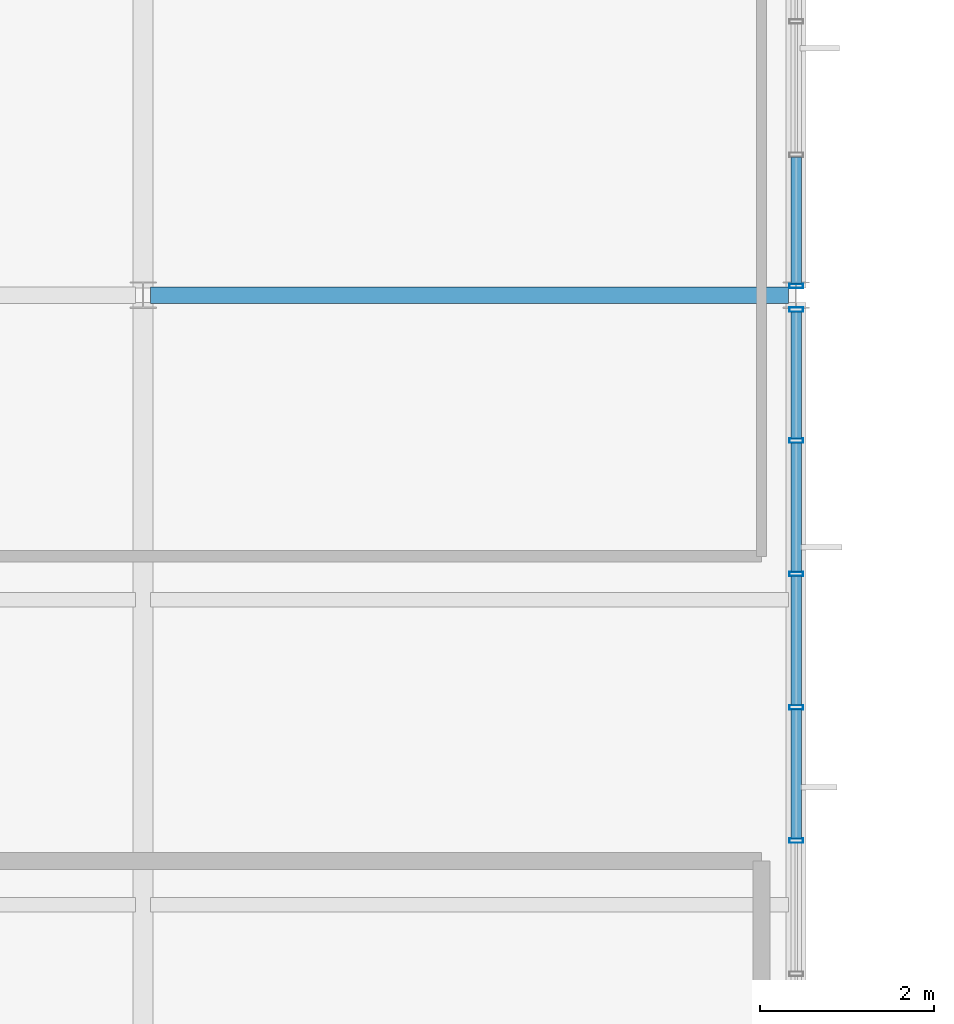
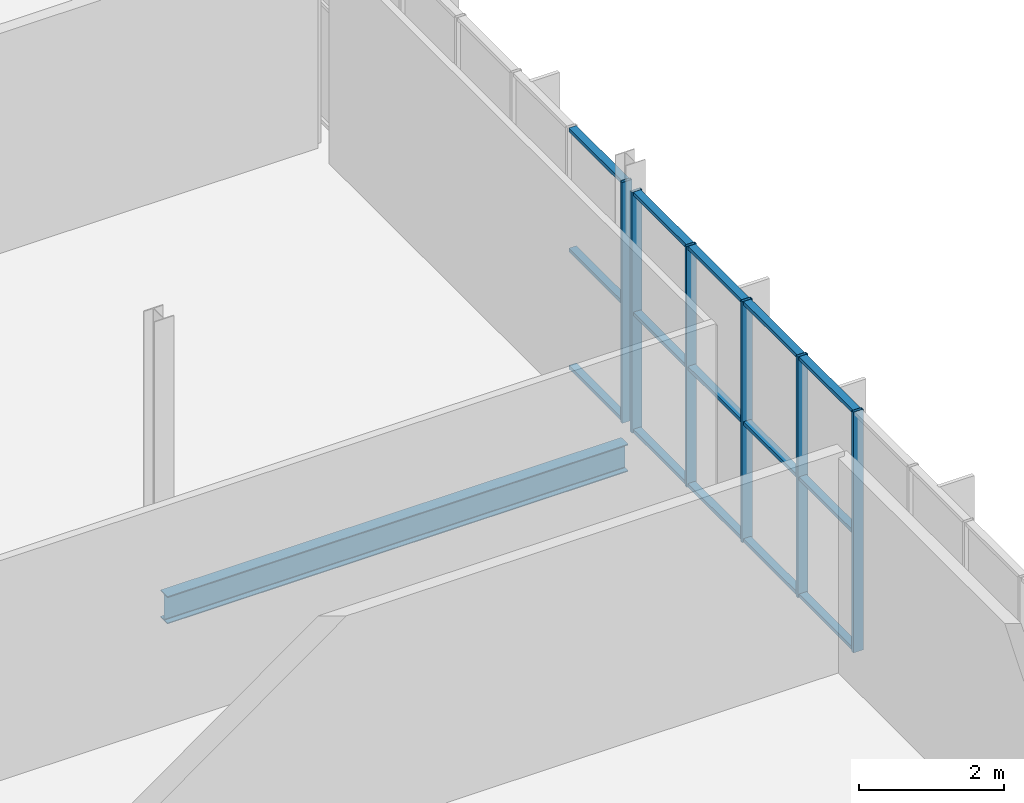
# One storey, part 46 of 324: 21 members, 1 beam, 2 elements without a shape of their own.
"""IFC4 building model written with IfcOpenShell, lengths in metres."""

from ifc_helpers import new_model, si_unit, direction, frame, origin, origin_2d, place, context, subcontext, project, spatial, hollow_rectangle, i_section, extrude, material, layer, layer_set, material_profile, profile_set, type_object, element, aggregate, save


model = new_model("IFC4")

# Units and contexts
model_context = context("Model", 3, precision=1e-05, world=origin(), true_north=direction((0.0, 1.0)))
body_context = subcontext(model_context, "Body", "Model", "MODEL_VIEW")
ifc_project = project(units=[si_unit("LENGTHUNIT", "METRE"), si_unit("AREAUNIT", "SQUARE_METRE"), si_unit("VOLUMEUNIT", "CUBIC_METRE"), si_unit("PLANEANGLEUNIT", "RADIAN"), si_unit("MASSUNIT", "GRAM", prefix="KILO")], contexts=[model_context])

# Site, building, storey
site_placement = place(None, origin())
site = spatial("IfcSite", under=ifc_project, at=site_placement, CompositionType="ELEMENT")
building_placement = place(site_placement, origin())
building = spatial("IfcBuilding", under=site, at=building_placement, Name="Solvenia Promenade Tram Depot", CompositionType="ELEMENT")
storey_placement = place(building_placement, frame((0.0, 0.0, 4.5)))
storey = spatial("IfcBuildingStorey", under=building, at=storey_placement, Name="L01", CompositionType="ELEMENT", Elevation=4.5)

# Beam
ifc_material_1 = material(Name="Structural steel ASTM A992 Gr. 50", Category="steel")
ifc_material_profile_1 = material_profile(ifc_material_1, i_section(OverallWidth=0.19091796875, OverallDepth=0.4599609375, WebThickness=0.010009765625, FlangeThickness=0.01611328125, FilletRadius=0.012939453125, at=origin_2d()), Name="W460x82", Category="steel")
ifc_profile_set_1 = profile_set([ifc_material_profile_1], Name="Structural steel ASTM A992 Gr. 50")
beam_type = type_object("IfcBeamType", Name="Beam-W460x82", PredefinedType="BEAM", material=ifc_profile_set_1)
beam_placement = place(storey_placement, frame((37.5849609375, 38.0, -0.469970703125), z_axis=(1.0, 0.0, 0.0), x_axis=(0.0, 1.0, 0.0)))
element("IfcBeam", 1, at=beam_placement, inside=storey, type_object=beam_type, Name="Primary Girder BM-L01-0222", PredefinedType="BEAM", context=body_context, shape_type="SweptSolid", body=[
    extrude(i_section(OverallWidth=0.19091796875, OverallDepth=0.4599609375, WebThickness=0.010009765625, FlangeThickness=0.01611328125, FilletRadius=0.012939453125, at=origin_2d()), origin(), (0.0, 0.0, 1.0), 7.330078125),
])

# Curtain wall, members
ifc_material_2 = material(Name="Anodized aluminium AW-6063 T6", Category="aluminium")
ifc_layer = layer(ifc_material_2, 0.1201171875, Name="Anodized aluminium AW-6063 T6", Category="aluminium")
ifc_layer_set = layer_set([ifc_layer], Name="Anodized aluminium AW-6063 T6")
curtain_wall_type = type_object("IfcCurtainWallType", Name="CW-Wash-1500", PredefinedType="NOTDEFINED", material=ifc_layer_set)
curtain_wall_1_placement = place(storey_placement, origin())
curtain_wall_1 = element("IfcCurtainWall", 2, at=curtain_wall_1_placement, inside=storey, type_object=curtain_wall_type, Name="Curtain Wall CW-V3-E-L1-1", PredefinedType="NOTDEFINED")
ifc_material_profile_2 = material_profile(ifc_material_2, hollow_rectangle(XDim=0.159912109375, YDim=0.052001953125, WallThickness=0.00390625, at=origin_2d()), Name="ALU-M1", Category="aluminium")
ifc_profile_set_2 = profile_set([ifc_material_profile_2], Name="Anodized aluminium AW-6063 T6")
member_type_1 = type_object("IfcMemberType", Name="CWM-Mullion-1", PredefinedType="MULLION", material=ifc_profile_set_2)
member_1_placement = place(storey_placement, frame((45.0, 31.735595703125, 0.0), z_axis=(0.0, 0.0, 1.0), x_axis=(-1.0, 0.0, 0.0)))
member_1 = element("IfcMember", 3, at=member_1_placement, type_object=member_type_1, Name="CW-10 mullion 6", PredefinedType="MULLION", context=body_context, shape_type="SweptSolid", body=[
    extrude(hollow_rectangle(XDim=0.159912109375, YDim=0.052001953125, WallThickness=0.00390625, at=origin_2d()), origin(), (0.0, 0.0, 1.0), 4.050048828125),
])
member_2_placement = place(storey_placement, frame((45.0, 33.2666015625, 0.0), z_axis=(0.0, 0.0, 1.0), x_axis=(-1.0, 0.0, 0.0)))
member_2 = element("IfcMember", 4, at=member_2_placement, type_object=member_type_1, Name="CW-10 mullion 7", PredefinedType="MULLION", context=body_context, shape_type="SweptSolid", body=[
    extrude(hollow_rectangle(XDim=0.159912109375, YDim=0.052001953125, WallThickness=0.00390625, at=origin_2d()), origin(), (0.0, 0.0, 1.0), 4.050048828125),
])
member_3_placement = place(storey_placement, frame((45.0, 34.7978515625, 0.0), z_axis=(0.0, 0.0, 1.0), x_axis=(-1.0, 0.0, 0.0)))
member_3 = element("IfcMember", 5, at=member_3_placement, type_object=member_type_1, Name="CW-10 mullion 8", PredefinedType="MULLION", context=body_context, shape_type="SweptSolid", body=[
    extrude(hollow_rectangle(XDim=0.159912109375, YDim=0.052001953125, WallThickness=0.00390625, at=origin_2d()), origin(), (0.0, 0.0, 1.0), 4.050048828125),
])
member_4_placement = place(storey_placement, frame((45.0, 36.328857421875, 0.0), z_axis=(0.0, 0.0, 1.0), x_axis=(-1.0, 0.0, 0.0)))
member_4 = element("IfcMember", 6, at=member_4_placement, type_object=member_type_1, Name="CW-10 mullion 9", PredefinedType="MULLION", context=body_context, shape_type="SweptSolid", body=[
    extrude(hollow_rectangle(XDim=0.159912109375, YDim=0.052001953125, WallThickness=0.00390625, at=origin_2d()), origin(), (0.0, 0.0, 1.0), 4.050048828125),
])
member_5_placement = place(storey_placement, frame((45.0, 37.833984375, 0.0), z_axis=(0.0, 0.0, 1.0), x_axis=(-1.0, 0.0, 0.0)))
member_5 = element("IfcMember", 7, at=member_5_placement, type_object=member_type_1, Name="CW-10 mullion 10", PredefinedType="MULLION", context=body_context, shape_type="SweptSolid", body=[
    extrude(hollow_rectangle(XDim=0.159912109375, YDim=0.052001953125, WallThickness=0.00390625, at=origin_2d()), origin(), (0.0, 0.0, 1.0), 4.050048828125),
])

# Curtain wall, member
curtain_wall_2_placement = place(storey_placement, origin())
curtain_wall_2 = element("IfcCurtainWall", 8, at=curtain_wall_2_placement, inside=storey, type_object=curtain_wall_type, Name="Curtain Wall CW-V3-E-L1-2", PredefinedType="NOTDEFINED")
member_6_placement = place(storey_placement, frame((45.0, 38.10595703125, 0.0), z_axis=(0.0, 0.0, 1.0), x_axis=(-1.0, 0.0, 0.0)))
member_6 = element("IfcMember", 9, at=member_6_placement, type_object=member_type_1, Name="CW-10 mullion 1", PredefinedType="MULLION", context=body_context, shape_type="SweptSolid", body=[
    extrude(hollow_rectangle(XDim=0.159912109375, YDim=0.052001953125, WallThickness=0.00390625, at=origin_2d()), origin(), (0.0, 0.0, 1.0), 4.050048828125),
])

# Member
ifc_material_profile_3 = material_profile(ifc_material_2, hollow_rectangle(XDim=0.1201171875, YDim=0.06005859375, WallThickness=0.00390625, at=origin_2d()), Name="ALU-T1", Category="aluminium")
ifc_profile_set_3 = profile_set([ifc_material_profile_3], Name="Anodized aluminium AW-6063 T6")
member_type_2 = type_object("IfcMemberType", Name="CWT-Transom-1", PredefinedType="USERDEFINED", material=ifc_profile_set_3)
member_7_placement = place(storey_placement, frame((45.0, 31.761474609375, 0.030029296875), z_axis=(0.0, 1.0, 0.0), x_axis=(-1.0, 0.0, 0.0)))
member_7 = element("IfcMember", 10, at=member_7_placement, type_object=member_type_2, Name="CW-10 transom 6.1", ObjectType="TRANSOM", PredefinedType="USERDEFINED", context=body_context, shape_type="SweptSolid", body=[
    extrude(hollow_rectangle(XDim=0.1201171875, YDim=0.06005859375, WallThickness=0.00390625, at=origin_2d()), origin(), (0.0, 0.0, 1.0), 1.479248046875),
])

member_8_placement = place(storey_placement, frame((45.0, 31.761474609375, 2.0), z_axis=(0.0, 1.0, 0.0), x_axis=(-1.0, 0.0, 0.0)))
member_8 = element("IfcMember", 11, at=member_8_placement, type_object=member_type_2, Name="CW-10 transom 6.2", ObjectType="TRANSOM", PredefinedType="USERDEFINED", context=body_context, shape_type="SweptSolid", body=[
    extrude(hollow_rectangle(XDim=0.1201171875, YDim=0.06005859375, WallThickness=0.00390625, at=origin_2d()), origin(), (0.0, 0.0, 1.0), 1.479248046875),
])

member_9_placement = place(storey_placement, frame((45.0, 31.761474609375, 4.02001953125), z_axis=(0.0, 1.0, 0.0), x_axis=(-1.0, 0.0, 0.0)))
member_9 = element("IfcMember", 12, at=member_9_placement, type_object=member_type_2, Name="CW-10 transom 6.3", ObjectType="TRANSOM", PredefinedType="USERDEFINED", context=body_context, shape_type="SweptSolid", body=[
    extrude(hollow_rectangle(XDim=0.1201171875, YDim=0.06005859375, WallThickness=0.00390625, at=origin_2d()), origin(), (0.0, 0.0, 1.0), 1.479248046875),
])

member_10_placement = place(storey_placement, frame((45.0, 33.292724609375, 0.030029296875), z_axis=(0.0, 1.0, 0.0), x_axis=(-1.0, 0.0, 0.0)))
member_10 = element("IfcMember", 13, at=member_10_placement, type_object=member_type_2, Name="CW-10 transom 7.1", ObjectType="TRANSOM", PredefinedType="USERDEFINED", context=body_context, shape_type="SweptSolid", body=[
    extrude(hollow_rectangle(XDim=0.1201171875, YDim=0.06005859375, WallThickness=0.00390625, at=origin_2d()), origin(), (0.0, 0.0, 1.0), 1.47900390625),
])

member_11_placement = place(storey_placement, frame((45.0, 33.292724609375, 2.0), z_axis=(0.0, 1.0, 0.0), x_axis=(-1.0, 0.0, 0.0)))
member_11 = element("IfcMember", 14, at=member_11_placement, type_object=member_type_2, Name="CW-10 transom 7.2", ObjectType="TRANSOM", PredefinedType="USERDEFINED", context=body_context, shape_type="SweptSolid", body=[
    extrude(hollow_rectangle(XDim=0.1201171875, YDim=0.06005859375, WallThickness=0.00390625, at=origin_2d()), origin(), (0.0, 0.0, 1.0), 1.47900390625),
])

member_12_placement = place(storey_placement, frame((45.0, 33.292724609375, 4.02001953125), z_axis=(0.0, 1.0, 0.0), x_axis=(-1.0, 0.0, 0.0)))
member_12 = element("IfcMember", 15, at=member_12_placement, type_object=member_type_2, Name="CW-10 transom 7.3", ObjectType="TRANSOM", PredefinedType="USERDEFINED", context=body_context, shape_type="SweptSolid", body=[
    extrude(hollow_rectangle(XDim=0.1201171875, YDim=0.06005859375, WallThickness=0.00390625, at=origin_2d()), origin(), (0.0, 0.0, 1.0), 1.47900390625),
])

member_13_placement = place(storey_placement, frame((45.0, 34.82373046875, 0.030029296875), z_axis=(0.0, 1.0, 0.0), x_axis=(-1.0, 0.0, 0.0)))
member_13 = element("IfcMember", 16, at=member_13_placement, type_object=member_type_2, Name="CW-10 transom 8.1", ObjectType="TRANSOM", PredefinedType="USERDEFINED", context=body_context, shape_type="SweptSolid", body=[
    extrude(hollow_rectangle(XDim=0.1201171875, YDim=0.06005859375, WallThickness=0.00390625, at=origin_2d()), origin(), (0.0, 0.0, 1.0), 1.479248046875),
])

member_14_placement = place(storey_placement, frame((45.0, 34.82373046875, 2.0), z_axis=(0.0, 1.0, 0.0), x_axis=(-1.0, 0.0, 0.0)))
member_14 = element("IfcMember", 17, at=member_14_placement, type_object=member_type_2, Name="CW-10 transom 8.2", ObjectType="TRANSOM", PredefinedType="USERDEFINED", context=body_context, shape_type="SweptSolid", body=[
    extrude(hollow_rectangle(XDim=0.1201171875, YDim=0.06005859375, WallThickness=0.00390625, at=origin_2d()), origin(), (0.0, 0.0, 1.0), 1.479248046875),
])

member_15_placement = place(storey_placement, frame((45.0, 34.82373046875, 4.02001953125), z_axis=(0.0, 1.0, 0.0), x_axis=(-1.0, 0.0, 0.0)))
member_15 = element("IfcMember", 18, at=member_15_placement, type_object=member_type_2, Name="CW-10 transom 8.3", ObjectType="TRANSOM", PredefinedType="USERDEFINED", context=body_context, shape_type="SweptSolid", body=[
    extrude(hollow_rectangle(XDim=0.1201171875, YDim=0.06005859375, WallThickness=0.00390625, at=origin_2d()), origin(), (0.0, 0.0, 1.0), 1.479248046875),
])

member_16_placement = place(storey_placement, frame((45.0, 36.35498046875, 0.030029296875), z_axis=(0.0, 1.0, 0.0), x_axis=(-1.0, 0.0, 0.0)))
member_16 = element("IfcMember", 19, at=member_16_placement, type_object=member_type_2, Name="CW-10 transom 9.1", ObjectType="TRANSOM", PredefinedType="USERDEFINED", context=body_context, shape_type="SweptSolid", body=[
    extrude(hollow_rectangle(XDim=0.1201171875, YDim=0.06005859375, WallThickness=0.00390625, at=origin_2d()), origin(), (0.0, 0.0, 1.0), 1.453125),
])

member_17_placement = place(storey_placement, frame((45.0, 36.35498046875, 2.0), z_axis=(0.0, 1.0, 0.0), x_axis=(-1.0, 0.0, 0.0)))
member_17 = element("IfcMember", 20, at=member_17_placement, type_object=member_type_2, Name="CW-10 transom 9.2", ObjectType="TRANSOM", PredefinedType="USERDEFINED", context=body_context, shape_type="SweptSolid", body=[
    extrude(hollow_rectangle(XDim=0.1201171875, YDim=0.06005859375, WallThickness=0.00390625, at=origin_2d()), origin(), (0.0, 0.0, 1.0), 1.453125),
])

member_18_placement = place(storey_placement, frame((45.0, 36.35498046875, 4.02001953125), z_axis=(0.0, 1.0, 0.0), x_axis=(-1.0, 0.0, 0.0)))
member_18 = element("IfcMember", 21, at=member_18_placement, type_object=member_type_2, Name="CW-10 transom 9.3", ObjectType="TRANSOM", PredefinedType="USERDEFINED", context=body_context, shape_type="SweptSolid", body=[
    extrude(hollow_rectangle(XDim=0.1201171875, YDim=0.06005859375, WallThickness=0.00390625, at=origin_2d()), origin(), (0.0, 0.0, 1.0), 1.453125),
])

aggregate(curtain_wall_1, [member_1, member_2, member_3, member_4, member_5, member_7, member_8, member_9, member_10, member_11, member_12, member_13, member_14, member_15, member_16, member_17, member_18])

member_19_placement = place(storey_placement, frame((45.0, 38.132080078125, 0.030029296875), z_axis=(0.0, 1.0, 0.0), x_axis=(-1.0, 0.0, 0.0)))
member_19 = element("IfcMember", 22, at=member_19_placement, type_object=member_type_2, Name="CW-10 transom 1.1", ObjectType="TRANSOM", PredefinedType="USERDEFINED", context=body_context, shape_type="SweptSolid", body=[
    extrude(hollow_rectangle(XDim=0.1201171875, YDim=0.06005859375, WallThickness=0.00390625, at=origin_2d()), origin(), (0.0, 0.0, 1.0), 1.453125),
])

member_20_placement = place(storey_placement, frame((45.0, 38.132080078125, 2.0), z_axis=(0.0, 1.0, 0.0), x_axis=(-1.0, 0.0, 0.0)))
member_20 = element("IfcMember", 23, at=member_20_placement, type_object=member_type_2, Name="CW-10 transom 1.2", ObjectType="TRANSOM", PredefinedType="USERDEFINED", context=body_context, shape_type="SweptSolid", body=[
    extrude(hollow_rectangle(XDim=0.1201171875, YDim=0.06005859375, WallThickness=0.00390625, at=origin_2d()), origin(), (0.0, 0.0, 1.0), 1.453125),
])

member_21_placement = place(storey_placement, frame((45.0, 38.132080078125, 4.02001953125), z_axis=(0.0, 1.0, 0.0), x_axis=(-1.0, 0.0, 0.0)))
member_21 = element("IfcMember", 24, at=member_21_placement, type_object=member_type_2, Name="CW-10 transom 1.3", ObjectType="TRANSOM", PredefinedType="USERDEFINED", context=body_context, shape_type="SweptSolid", body=[
    extrude(hollow_rectangle(XDim=0.1201171875, YDim=0.06005859375, WallThickness=0.00390625, at=origin_2d()), origin(), (0.0, 0.0, 1.0), 1.453125),
])

aggregate(curtain_wall_2, [member_6, member_19, member_20, member_21])

save(model, "model.ifc")
